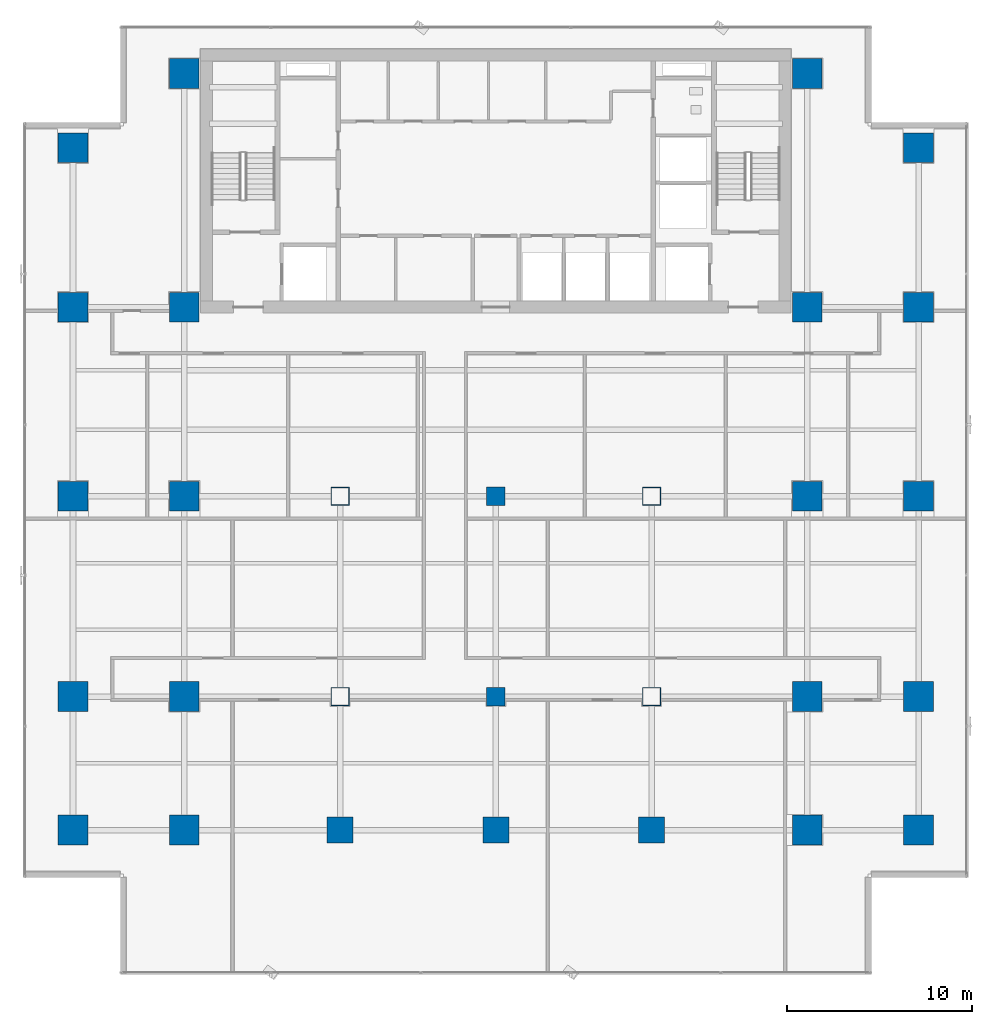
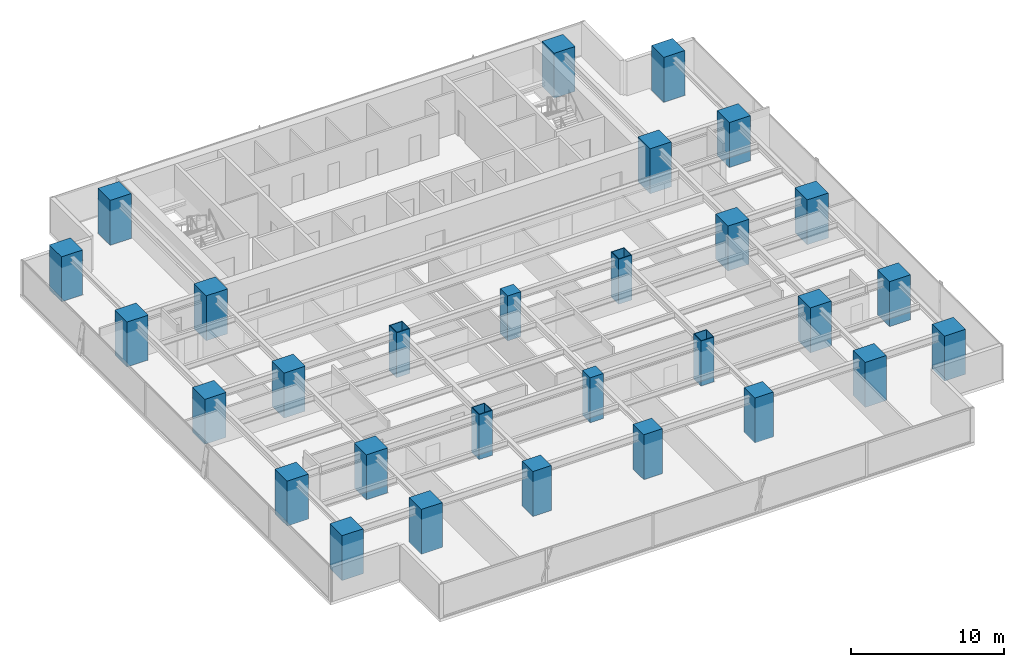
# One storey, part 1 of 36: 29 columns.
"""IFC4 building model written with IfcOpenShell, lengths in metres."""

from ifc_helpers import new_model, si_unit, direction, frame, origin, origin_2d, place, context, subcontext, project, spatial, rectangle, hollow_rectangle, extrude, source, transform, mapped, material, material_profile, profile_set, type_object, element, save


model = new_model("IFC4")

# Units and contexts
model_context = context("Model", 3, precision=1e-05, world=origin(), true_north=direction((0.0, 1.0)))
body_context = subcontext(model_context, "Body", "Model", "MODEL_VIEW")
ifc_project = project(units=[si_unit("LENGTHUNIT", "METRE"), si_unit("AREAUNIT", "SQUARE_METRE"), si_unit("VOLUMEUNIT", "CUBIC_METRE"), si_unit("PLANEANGLEUNIT", "RADIAN"), si_unit("MASSUNIT", "GRAM", prefix="KILO")], contexts=[model_context])

# Site, building, storey
site_placement = place(None, origin())
site = spatial("IfcSite", under=ifc_project, at=site_placement, CompositionType="ELEMENT")
building_placement = place(site_placement, origin())
building = spatial("IfcBuilding", under=site, at=building_placement, Name="Sumidabori Civic Tower", CompositionType="ELEMENT")
storey_placement = place(building_placement, frame((0.0, 0.0, 92.0)))
storey = spatial("IfcBuildingStorey", under=building, at=storey_placement, Name="L23", CompositionType="ELEMENT", Elevation=92.0)

# Columns
ifc_material_1 = material(Name="Concrete C60/75", Category="concrete")
ifc_material_profile_1 = material_profile(ifc_material_1, rectangle(XDim=1.60009765625, YDim=1.60009765625, at=origin_2d()), Name="RC 1600x1600")
ifc_profile_set_1 = profile_set([ifc_material_profile_1], Name="Concrete C60/75")
column_type_1 = type_object("IfcColumnType", Name="CL-MEGA-1600", PredefinedType="COLUMN", material=ifc_profile_set_1)
shared_shape_1 = source(origin(), body_context, "Body", "SweptSolid", [
    extrude(rectangle(XDim=1.60009765625, YDim=1.60009765625, at=origin_2d()), origin(), (0.0, 0.0, 1.0), 3.60009765625),
])
for number, where, z_axis, x_axis, name in (
    (1, (-16.800048828125, -18.0, 0.0), (0.0, 0.0, 1.0), (1.0, 0.0, 0.0), "Column MC-W16-Y18S L23"),
    (2, (-16.800048828125, -10.800048828125, 0.0), (0.0, 0.0, 1.0), (1.0, 0.0, 0.0), "Column MC-W16-Y11S L23"),
    (3, (-16.800048828125, 0.0, 0.0), (0.0, 0.0, 1.0), (1.0, 0.0, 0.0), "Column MC-W16-Y00 L23"),
    (4, (-16.800048828125, 10.199951171875, 0.0), (0.0, 0.0, 1.0), (1.0, 0.0, 0.0), "Column MC-W16-Y10N L23"),
    (5, (-16.800048828125, 22.800048828125, 0.0), (0.0, 0.0, 1.0), (1.0, 0.0, 0.0), "Column MC-W16-Y23N L23"),
    (6, (16.800048828125, -18.0, 0.0), (0.0, 0.0, 1.0), (1.0, 0.0, 0.0), "Column MC-E16-Y18S L23"),
    (7, (16.800048828125, -10.800048828125, 0.0), (0.0, 0.0, 1.0), (1.0, 0.0, 0.0), "Column MC-E16-Y11S L23"),
    (8, (16.800048828125, 0.0, 0.0), (0.0, 0.0, 1.0), (1.0, 0.0, 0.0), "Column MC-E16-Y00 L23"),
    (9, (16.800048828125, 10.199951171875, 0.0), (0.0, 0.0, 1.0), (1.0, 0.0, 0.0), "Column MC-E16-Y10N L23"),
    (10, (16.800048828125, 22.800048828125, 0.0), (0.0, 0.0, 1.0), (1.0, 0.0, 0.0), "Column MC-E16-Y23N L23"),
    (11, (-22.800048828125, -18.0, 0.0), (0.0, 0.0, 1.0), (1.0, 0.0, 0.0), "Column MC-W23-Y18S L23"),
    (12, (-22.800048828125, -10.800048828125, 0.0), (0.0, 0.0, 1.0), (1.0, 0.0, 0.0), "Column MC-W23-Y11S L23"),
    (13, (-22.800048828125, 0.0, 0.0), (0.0, 0.0, 1.0), (1.0, 0.0, 0.0), "Column MC-W23-Y00 L23"),
    (14, (-22.800048828125, 10.199951171875, 0.0), (0.0, 0.0, 1.0), (1.0, 0.0, 0.0), "Column MC-W23-Y10N L23"),
    (15, (-22.800048828125, 18.800048828125, 0.0), (0.0, 0.0, 1.0), (1.0, 0.0, 0.0), "Column MC-W23-Y19N L23"),
    (16, (22.800048828125, -18.0, 0.0), (0.0, 0.0, 1.0), (1.0, 0.0, 0.0), "Column MC-E23-Y18S L23"),
    (17, (22.800048828125, -10.800048828125, 0.0), (0.0, 0.0, 1.0), (1.0, 0.0, 0.0), "Column MC-E23-Y11S L23"),
    (18, (22.800048828125, 0.0, 0.0), (0.0, 0.0, 1.0), (1.0, 0.0, 0.0), "Column MC-E23-Y00 L23"),
    (19, (22.800048828125, 10.199951171875, 0.0), (0.0, 0.0, 1.0), (1.0, 0.0, 0.0), "Column MC-E23-Y10N L23"),
    (20, (22.800048828125, 18.800048828125, 0.0), (0.0, 0.0, 1.0), (1.0, 0.0, 0.0), "Column MC-E23-Y19N L23"),
):
    element("IfcColumn", number, at=place(storey_placement, frame(where, z_axis=z_axis, x_axis=x_axis)), inside=storey, type_object=column_type_1, Name=name, PredefinedType="COLUMN", context=body_context, shape_type="MappedRepresentation", body=[
        mapped(shared_shape_1, transform((0.0, 0.0, 0.0), x_axis=(1.0, 0.0, 0.0), y_axis=(0.0, 1.0, 0.0), z_axis=(0.0, 0.0, 1.0), scale=1.0)),
    ])
ifc_material_2 = material(Name="Steel SM570", Category="steel")
ifc_material_profile_2 = material_profile(ifc_material_2, hollow_rectangle(XDim=1.0, YDim=1.0, WallThickness=0.044921875, at=origin_2d()), Name="SHS 1000x1000x45")
ifc_profile_set_2 = profile_set([ifc_material_profile_2], Name="Steel SM570")
column_type_2 = type_object("IfcColumnType", Name="CL-PORTAL-SHS1000", PredefinedType="COLUMN", material=ifc_profile_set_2)
shared_shape_2 = source(origin(), body_context, "Body", "SweptSolid", [
    extrude(hollow_rectangle(XDim=1.0, YDim=1.0, WallThickness=0.044921875, at=origin_2d()), origin(), (0.0, 0.0, 1.0), 3.60009765625),
])
for number, where, z_axis, x_axis, name in (
    (21, (-8.39990234375, 0.0, 0.0), (0.0, 0.0, 1.0), (1.0, 0.0, 0.0), "Column MC-W08-Y00 L23"),
    (22, (-8.39990234375, -10.800048828125, 0.0), (0.0, 0.0, 1.0), (1.0, 0.0, 0.0), "Column MC-W08-Y11S L23"),
    (23, (8.39990234375, 0.0, 0.0), (0.0, 0.0, 1.0), (1.0, 0.0, 0.0), "Column MC-E08-Y00 L23"),
    (24, (8.39990234375, -10.800048828125, 0.0), (0.0, 0.0, 1.0), (1.0, 0.0, 0.0), "Column MC-E08-Y11S L23"),
):
    element("IfcColumn", number, at=place(storey_placement, frame(where, z_axis=z_axis, x_axis=x_axis)), inside=storey, type_object=column_type_2, Name=name, PredefinedType="COLUMN", context=body_context, shape_type="MappedRepresentation", body=[
        mapped(shared_shape_2, transform((0.0, 0.0, 0.0), x_axis=(1.0, 0.0, 0.0), y_axis=(0.0, 1.0, 0.0), z_axis=(0.0, 0.0, 1.0), scale=1.0)),
    ])
ifc_material_profile_3 = material_profile(ifc_material_1, rectangle(XDim=1.39990234375, YDim=1.39990234375, at=origin_2d()), Name="RC 1400x1400")
ifc_profile_set_3 = profile_set([ifc_material_profile_3], Name="Concrete C60/75")
column_type_3 = type_object("IfcColumnType", Name="CL-MEGA-1400", PredefinedType="COLUMN", material=ifc_profile_set_3)
shared_shape_3 = source(origin(), body_context, "Body", "SweptSolid", [
    extrude(rectangle(XDim=1.39990234375, YDim=1.39990234375, at=origin_2d()), origin(), (0.0, 0.0, 1.0), 3.60009765625),
])
for number, where, z_axis, x_axis, name in (
    (25, (-8.39990234375, -18.0, 0.0), (0.0, 0.0, 1.0), (1.0, 0.0, 0.0), "Column MC-W08-Y18S L23"),
    (26, (8.39990234375, -18.0, 0.0), (0.0, 0.0, 1.0), (1.0, 0.0, 0.0), "Column MC-E08-Y18S L23"),
    (27, (0.0, -18.0, 0.0), (0.0, 0.0, 1.0), (1.0, 0.0, 0.0), "Column MC-C00-Y18S L23"),
):
    element("IfcColumn", number, at=place(storey_placement, frame(where, z_axis=z_axis, x_axis=x_axis)), inside=storey, type_object=column_type_3, Name=name, PredefinedType="COLUMN", context=body_context, shape_type="MappedRepresentation", body=[
        mapped(shared_shape_3, transform((0.0, 0.0, 0.0), x_axis=(1.0, 0.0, 0.0), y_axis=(0.0, 1.0, 0.0), z_axis=(0.0, 0.0, 1.0), scale=1.0)),
    ])
ifc_material_3 = material(Name="Concrete C50/60", Category="concrete")
ifc_material_profile_4 = material_profile(ifc_material_3, rectangle(XDim=1.0, YDim=1.0, at=origin_2d()), Name="RC 1000x1000")
ifc_profile_set_4 = profile_set([ifc_material_profile_4], Name="Concrete C50/60")
column_type_4 = type_object("IfcColumnType", Name="CL-INT-1000", PredefinedType="COLUMN", material=ifc_profile_set_4)
shared_shape_4 = source(origin(), body_context, "Body", "SweptSolid", [
    extrude(rectangle(XDim=1.0, YDim=1.0, at=origin_2d()), origin(), (0.0, 0.0, 1.0), 3.60009765625),
])
for number, where, z_axis, x_axis, name in (
    (28, (0.0, -10.800048828125, 0.0), (0.0, 0.0, 1.0), (1.0, 0.0, 0.0), "Column MC-C00-Y11S L23"),
    (29, (0.0, 0.0, 0.0), (0.0, 0.0, 1.0), (1.0, 0.0, 0.0), "Column MC-C00-Y00 L23"),
):
    element("IfcColumn", number, at=place(storey_placement, frame(where, z_axis=z_axis, x_axis=x_axis)), inside=storey, type_object=column_type_4, Name=name, PredefinedType="COLUMN", context=body_context, shape_type="MappedRepresentation", body=[
        mapped(shared_shape_4, transform((0.0, 0.0, 0.0), x_axis=(1.0, 0.0, 0.0), y_axis=(0.0, 1.0, 0.0), z_axis=(0.0, 0.0, 1.0), scale=1.0)),
    ])

save(model, "model.ifc")
